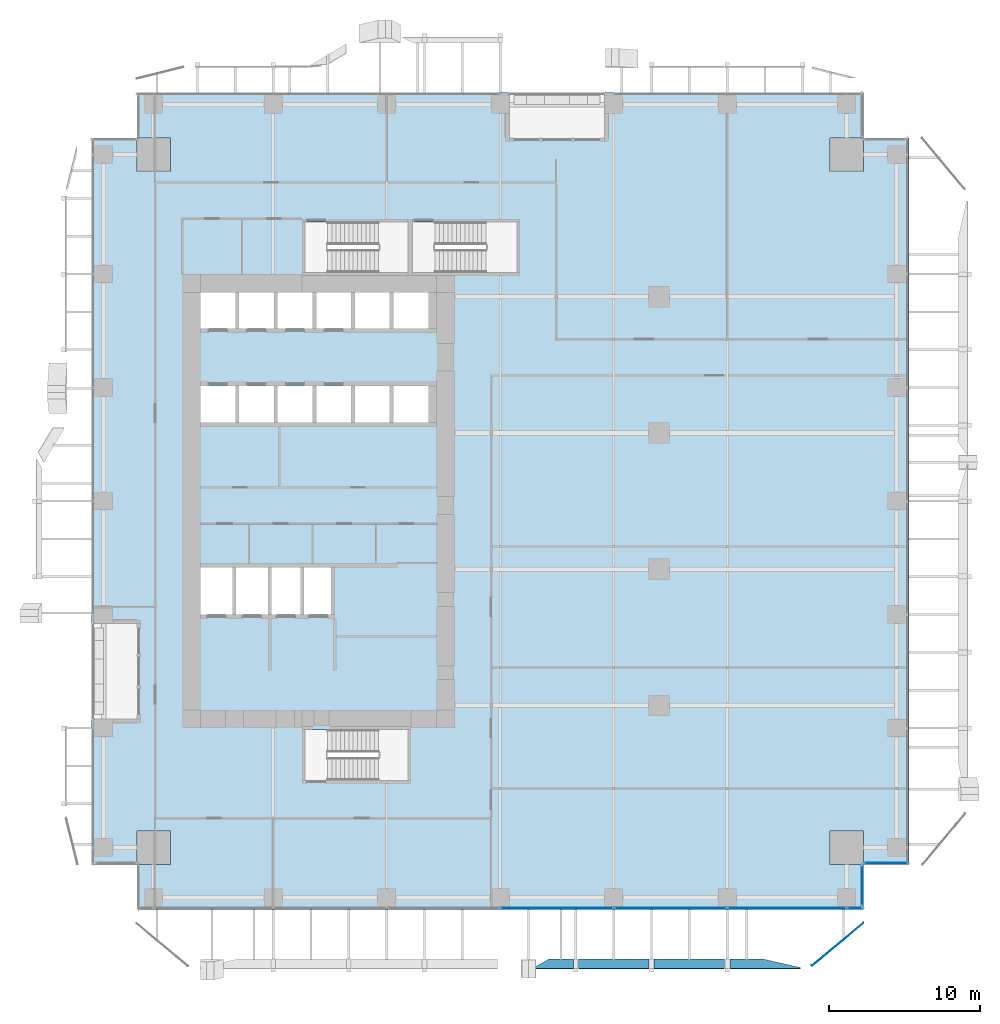
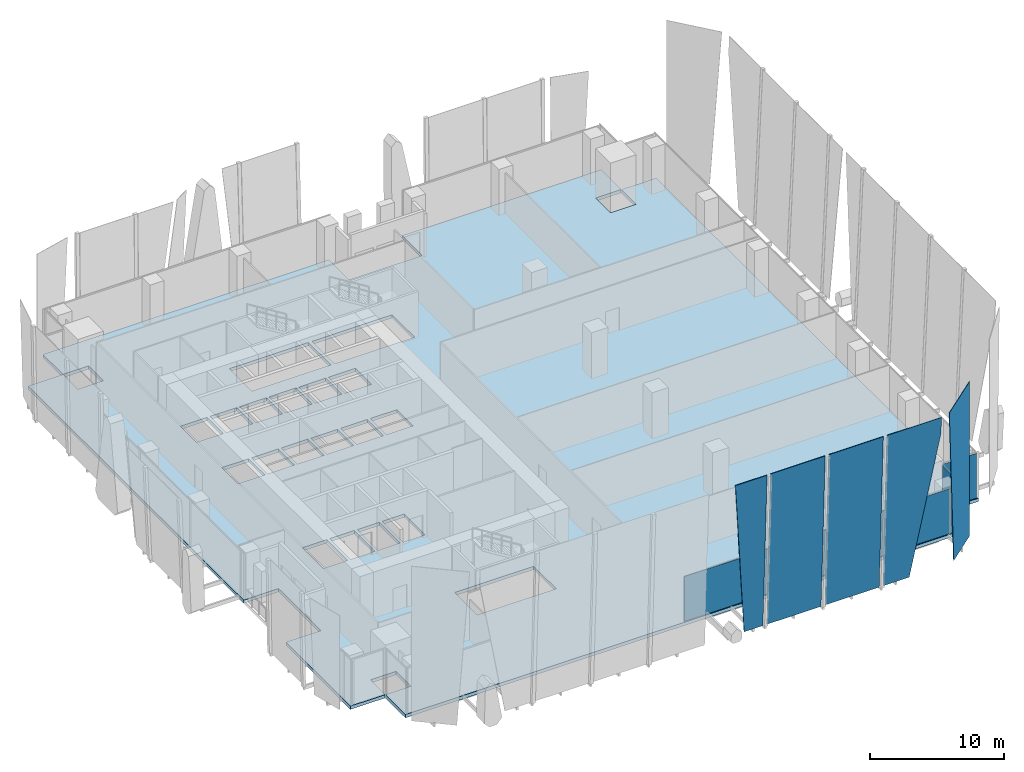
# One storey, part 23 of 35: 11 plates, 1 slab, 3 elements without a shape of their own.
"""IFC4 building model written with IfcOpenShell, lengths in metres."""

from ifc_helpers import new_model, si_unit, direction, frame, origin, origin_2d, place, context, subcontext, project, spatial, polyline, rectangle, outline, extrude, source, transform, mapped, material, layer, layer_set, type_object, element, aggregate, save


model = new_model("IFC4")

# Units and contexts
model_context = context("Model", 3, precision=1e-05, world=origin(), true_north=direction((0.0, 1.0)))
body_context = subcontext(model_context, "Body", "Model", "MODEL_VIEW")
ifc_project = project(units=[si_unit("LENGTHUNIT", "METRE"), si_unit("AREAUNIT", "SQUARE_METRE"), si_unit("VOLUMEUNIT", "CUBIC_METRE"), si_unit("PLANEANGLEUNIT", "RADIAN"), si_unit("MASSUNIT", "GRAM", prefix="KILO")], contexts=[model_context])

# Site, building, storey
site_placement = place(None, origin())
site = spatial("IfcSite", under=ifc_project, at=site_placement, CompositionType="ELEMENT")
building_placement = place(site_placement, origin())
building = spatial("IfcBuilding", under=site, at=building_placement, Name="Khomas Fold Tower", CompositionType="ELEMENT")
storey_placement = place(building_placement, frame((0.0, 0.0, 87.0)))
storey = spatial("IfcBuildingStorey", under=building, at=storey_placement, Name="L18", CompositionType="ELEMENT", Elevation=87.0)

# Plates
ifc_material_1 = material(Name="Clear laminated glass", Category="glass")
ifc_layer_1 = layer(ifc_material_1, 0.0400390625)
ifc_layer_set_1 = layer_set([ifc_layer_1], Name="Clear laminated glass")
plate_type_1 = type_object("IfcPlateType", Name="SK-Clear laminated glass leaf", PredefinedType="SHEET", material=ifc_layer_set_1)
plate_1_placement = place(storey_placement, frame((30.214111328125, -3.264892578125, 0.0), z_axis=(0.0, 0.999041889432, 0.043764176671), x_axis=(-0.078019649589, -0.043630775646, 0.995996631367)))
element("IfcPlate", 1, at=plate_1_placement, inside=storey, type_object=plate_type_1, Name="OUTER SKIN glass L18 SG103-9", PredefinedType="SHEET", context=body_context, shape_type="SweptSolid", body=[
    extrude(outline(polyline([(0.0, 0.0), (14.106522437571755, 0.0), (13.89457794514553, 2.7082721965804097), (-0.12607716323979348, 1.6110410415355203), (0.0, 0.0)])), origin(), (0.0, 0.0, -1.0), 0.0400390625),
])
for number, where, z_axis, x_axis, name in (
    (2, (32.169921875, -3.264892578125, 0.0), (0.0, 0.999041889432, 0.043764176671), (0.0, -0.043764176671, 0.999041889432), "OUTER SKIN glass L18 SG104-11"),
    (3, (37.169921875, -3.264892578125, 0.0), (0.0, 0.999041889432, 0.043764176671), (0.0, -0.043764176671, 0.999041889432), "OUTER SKIN glass L18 SG105-13"),
):
    element("IfcPlate", number, at=place(storey_placement, frame(where, z_axis=z_axis, x_axis=x_axis)), inside=storey, type_object=plate_type_1, Name=name, PredefinedType="SHEET", context=body_context, shape_type="SweptSolid", body=[
        extrude(outline(polyline([(0.0, 0.0), (14.06352323836003, 0.0), (14.06352323836003, 4.66015625), (0.0, 4.66015625), (0.0, 0.0)])), origin(), (0.0, 0.0, -1.0), 0.0400390625),
    ])
plate_2_placement = place(storey_placement, frame((44.411376953125, -3.264892578125, 0.0), z_axis=(-1.7770157e-05, 0.999041755518, 0.043767229919), x_axis=(-0.999999999842, -1.7753129e-05, -7.77751e-07)))
element("IfcPlate", 4, at=plate_2_placement, inside=storey, type_object=plate_type_1, Name="OUTER SKIN glass L18 SG106-15", PredefinedType="SHEET", context=body_context, shape_type="SweptSolid", body=[
    extrude(outline(polyline([(0.0, 0.0), (2.2414550777710986, -2.373232876202921e-22), (2.2414550770073247, 14.063523238294355), (-2.4187011722568874, 14.063523238294355), (-2.4187011744362676, 12.604844709517032), (0.0, 0.0)])), origin(), (0.0, 0.0, -1.0), 0.0400390625),
])
plate_3_placement = place(storey_placement, frame((48.3623046875, -3.09814453125, 0.0), z_axis=(0.640208940012, -0.768200828643, 1.092516e-06), x_axis=(-0.052423335487, -0.043687531728, 0.997668879673)))
element("IfcPlate", 5, at=plate_3_placement, inside=storey, type_object=plate_type_1, Name="OUTER SKIN glass L18 SG107-16", PredefinedType="SHEET", context=body_context, shape_type="SweptSolid", body=[
    extrude(outline(polyline([(0.0, 0.0), (14.08287771063657, 1.1102230246251565e-16), (13.782983912111671, -4.38439640402836), (-0.23431256159386898, -3.425609858073881), (0.0, 0.0)])), origin(), (0.0, 0.0, -1.0), 0.0400390625),
])

# Slab
ifc_material_2 = material(Name="Concrete C40/50", Category="concrete")
ifc_layer_2 = layer(ifc_material_2, 0.300048828125)
ifc_layer_set_2 = layer_set([ifc_layer_2], Name="Concrete C40/50")
slab_type = type_object("IfcSlabType", Name="RC floor slab 300", PredefinedType="FLOOR", material=ifc_layer_set_2)
shared_shape_1 = source(origin(), body_context, "Body", "SweptSolid", [
    extrude(outline(polyline([(0.0, 3.0), (2.9951171875, 3.0), (2.9951171875, 5.205078125), (5.205078125, 5.205078125), (5.205078125, 2.9951171875), (3.0, 2.9951171875), (3.0, 0.0), (51.0, 0.0), (51.0, 2.9951171875), (48.794921875, 2.9951171875), (48.794921875, 5.205078125), (51.0048828125, 5.205078125), (51.0048828125, 3.0), (54.0, 3.0), (54.0, 51.0), (51.0048828125, 51.0), (51.0048828125, 48.794921875), (48.794921875, 48.794921875), (48.794921875, 51.0048828125), (51.0, 51.0048828125), (51.0, 54.0), (33.89990234375, 54.0), (33.89990234375, 51.0), (27.60009765625, 51.0), (27.60009765625, 54.0), (3.0, 54.0), (3.0, 51.0048828125), (5.205078125, 51.0048828125), (5.205078125, 48.794921875), (2.9951171875, 48.794921875), (2.9951171875, 51.0), (0.0, 51.0), (0.0, 18.89990234375), (3.0, 18.89990234375), (3.0, 12.60009765625), (0.0, 12.60009765625), (0.0, 3.0)]), holes=[polyline([(7.199951171875, 19.5), (7.199951171875, 22.60009765625), (9.300048828125, 22.60009765625), (9.300048828125, 19.5), (7.199951171875, 19.5)]), polyline([(7.199951171875, 32.199951171875), (7.199951171875, 34.60009765625), (9.5, 34.60009765625), (9.5, 32.199951171875), (7.199951171875, 32.199951171875)]), polyline([(7.199951171875, 38.39990234375), (7.199951171875, 40.800048828125), (9.5, 40.800048828125), (9.5, 38.39990234375), (7.199951171875, 38.39990234375)]), polyline([(9.550048828125, 19.5), (9.550048828125, 22.60009765625), (11.64990234375, 22.60009765625), (11.64990234375, 19.5), (9.550048828125, 19.5)]), polyline([(9.75, 32.199951171875), (9.75, 34.60009765625), (12.050048828125, 34.60009765625), (12.050048828125, 32.199951171875), (9.75, 32.199951171875)]), polyline([(9.75, 38.39990234375), (9.75, 40.800048828125), (12.050048828125, 40.800048828125), (12.050048828125, 38.39990234375), (9.75, 38.39990234375)]), polyline([(11.89990234375, 19.5), (11.89990234375, 22.60009765625), (13.800048828125, 22.60009765625), (13.800048828125, 19.5), (11.89990234375, 19.5)]), polyline([(12.300048828125, 32.199951171875), (12.300048828125, 34.60009765625), (14.60009765625, 34.60009765625), (14.60009765625, 32.199951171875), (12.300048828125, 32.199951171875)]), polyline([(12.300048828125, 38.39990234375), (12.300048828125, 40.800048828125), (14.60009765625, 40.800048828125), (14.60009765625, 38.39990234375), (12.300048828125, 38.39990234375)]), polyline([(14.050048828125, 19.5), (14.050048828125, 22.60009765625), (15.949951171875, 22.60009765625), (15.949951171875, 19.5), (14.050048828125, 19.5)]), polyline([(14.10009765625, 8.550048828125), (14.10009765625, 11.89990234375), (20.89990234375, 11.89990234375), (20.89990234375, 8.550048828125), (14.10009765625, 8.550048828125)]), polyline([(14.10009765625, 42.10009765625), (14.10009765625, 45.449951171875), (20.89990234375, 45.449951171875), (20.89990234375, 42.10009765625), (14.10009765625, 42.10009765625)]), polyline([(14.85009765625, 32.199951171875), (14.85009765625, 34.60009765625), (17.14990234375, 34.60009765625), (17.14990234375, 32.199951171875), (14.85009765625, 32.199951171875)]), polyline([(14.85009765625, 38.39990234375), (14.85009765625, 40.800048828125), (17.14990234375, 40.800048828125), (17.14990234375, 38.39990234375), (14.85009765625, 38.39990234375)]), polyline([(17.39990234375, 32.199951171875), (17.39990234375, 34.60009765625), (19.699951171875, 34.60009765625), (19.699951171875, 32.199951171875), (17.39990234375, 32.199951171875)]), polyline([(17.39990234375, 38.39990234375), (17.39990234375, 40.800048828125), (19.699951171875, 40.800048828125), (19.699951171875, 38.39990234375), (17.39990234375, 38.39990234375)]), polyline([(19.949951171875, 32.199951171875), (19.949951171875, 34.60009765625), (22.25, 34.60009765625), (22.25, 32.199951171875), (19.949951171875, 32.199951171875)]), polyline([(19.949951171875, 38.39990234375), (19.949951171875, 40.800048828125), (22.25, 40.800048828125), (22.25, 38.39990234375), (19.949951171875, 38.39990234375)]), polyline([(21.199951171875, 42.10009765625), (21.199951171875, 45.449951171875), (28.10009765625, 45.449951171875), (28.10009765625, 42.10009765625), (21.199951171875, 42.10009765625)])]), origin(), (0.0, 0.0, 1.0), 0.300048828125),
])
slab_placement = place(storey_placement, frame((0.0, 0.0, -0.300048828125)))
element("IfcSlab", 6, at=slab_placement, inside=storey, type_object=slab_type, Name="S-L18", PredefinedType="FLOOR", context=body_context, shape_type="MappedRepresentation", body=[
    mapped(shared_shape_1, transform((0.0, 0.0, 0.0))),
])

# Curtain wall, plates
ifc_material_3 = material(Name="Aluminium framed double glazing", Category="aluminium")
curtain_wall_type = type_object("IfcCurtainWallType", Name="SK-Unitised clear-glass wall, growing floors CW1", PredefinedType="NOTDEFINED", material=ifc_material_3)
curtain_wall_1_placement = place(storey_placement, origin())
curtain_wall_1 = element("IfcCurtainWall", 7, at=curtain_wall_1_placement, inside=storey, type_object=curtain_wall_type, Name="CW1 run L18 00-0", PredefinedType="NOTDEFINED")
ifc_material_4 = material(Name="Clear double glazed unit")
ifc_layer_3 = layer(ifc_material_4, 0.031982421875)
ifc_layer_set_3 = layer_set([ifc_layer_3], Name="Clear double glazed unit")
plate_type_2 = type_object("IfcPlateType", Name="SK-Unitised clear-glass wall, growing floors glass panel CW1-P", PredefinedType="CURTAIN_PANEL", material=ifc_layer_set_3)
shared_shape_2 = source(origin(), body_context, "Body", "SweptSolid", [
    extrude(rectangle(XDim=7.840087890625, YDim=0.031982421875, at=origin_2d()), origin(), (0.0, 0.0, 1.0), 4.080078125),
])
plate_4_placement = place(storey_placement, frame((45.949951171875, 0.10009765625, 0.0), z_axis=(0.0, 0.0, 1.0), x_axis=(1.0, 0.0, 0.0)))
plate_4 = element("IfcPlate", 8, at=plate_4_placement, type_object=plate_type_2, Name="CW1 glass panel 7", PredefinedType="CURTAIN_PANEL", context=body_context, shape_type="MappedRepresentation", body=[
    mapped(shared_shape_2, transform((0.0, 0.0, 0.0))),
])
shared_shape_3 = source(origin(), body_context, "Body", "SweptSolid", [
    extrude(rectangle(XDim=7.43994140625, YDim=0.031982421875, at=origin_2d()), origin(), (0.0, 0.0, 1.0), 4.080078125),
])
plate_5_placement = place(storey_placement, frame((30.75, 0.10009765625, 0.0), z_axis=(0.0, 0.0, 1.0), x_axis=(1.0, 0.0, 0.0)))
plate_5 = element("IfcPlate", 9, at=plate_5_placement, type_object=plate_type_2, Name="CW1 glass panel 5", PredefinedType="CURTAIN_PANEL", context=body_context, shape_type="MappedRepresentation", body=[
    mapped(shared_shape_3, transform((0.0, 0.0, 0.0))),
])
plate_6_placement = place(storey_placement, frame((38.25, 0.10009765625, 0.0), z_axis=(0.0, 0.0, 1.0), x_axis=(1.0, 0.0, 0.0)))
plate_6 = element("IfcPlate", 10, at=plate_6_placement, type_object=plate_type_2, Name="CW1 glass panel 6", PredefinedType="CURTAIN_PANEL", context=body_context, shape_type="MappedRepresentation", body=[
    mapped(shared_shape_3, transform((0.0, 0.0, 0.0))),
])
shared_shape_4 = source(origin(), body_context, "Body", "SweptSolid", [
    extrude(rectangle(XDim=1.010009765625, YDim=0.031982421875, at=origin_2d()), origin(), (0.0, 0.0, 1.0), 4.080078125),
])
plate_7_placement = place(storey_placement, frame((50.43505859375, 0.10009765625, 0.0), z_axis=(0.0, 0.0, 1.0), x_axis=(1.0, 0.0, 0.0)))
plate_7 = element("IfcPlate", 11, at=plate_7_placement, type_object=plate_type_2, Name="CW1 glass panel 8", PredefinedType="CURTAIN_PANEL", context=body_context, shape_type="MappedRepresentation", body=[
    mapped(shared_shape_4, transform((0.0, 0.0, 0.0))),
])
aggregate(curtain_wall_1, [plate_5, plate_6, plate_4, plate_7])

# Curtain wall, plate
curtain_wall_2_placement = place(storey_placement, origin())
curtain_wall_2 = element("IfcCurtainWall", 12, at=curtain_wall_2_placement, inside=storey, type_object=curtain_wall_type, Name="CW1 corner return L18 01", PredefinedType="NOTDEFINED")
shared_shape_5 = source(origin(), body_context, "Body", "SweptSolid", [
    extrude(rectangle(XDim=2.679931640625, YDim=0.031982421875, at=origin_2d()), origin(), (0.0, 0.0, 1.0), 4.080078125),
])
plate_8_placement = place(storey_placement, frame((50.89990234375, 1.60009765625, 0.0), z_axis=(0.0, 0.0, 1.0), x_axis=(0.0, 1.0, 0.0)))
plate_8 = element("IfcPlate", 13, at=plate_8_placement, type_object=plate_type_2, Name="CW1 glass panel 1", PredefinedType="CURTAIN_PANEL", context=body_context, shape_type="MappedRepresentation", body=[
    mapped(shared_shape_5, transform((0.0, 0.0, 0.0))),
])
aggregate(curtain_wall_2, [plate_8])

curtain_wall_3_placement = place(storey_placement, origin())
curtain_wall_3 = element("IfcCurtainWall", 14, at=curtain_wall_3_placement, inside=storey, type_object=curtain_wall_type, Name="CW1 corner return L18 02", PredefinedType="NOTDEFINED")
shared_shape_6 = source(origin(), body_context, "Body", "SweptSolid", [
    extrude(rectangle(XDim=2.8798828125, YDim=0.031982421875, at=origin_2d()), origin(), (0.0, 0.0, 1.0), 4.080078125),
])
plate_9_placement = place(storey_placement, frame((52.5, 3.10009765625, 0.0), z_axis=(0.0, 0.0, 1.0), x_axis=(1.0, 0.0, 0.0)))
plate_9 = element("IfcPlate", 15, at=plate_9_placement, type_object=plate_type_2, Name="CW1 glass panel 1", PredefinedType="CURTAIN_PANEL", context=body_context, shape_type="MappedRepresentation", body=[
    mapped(shared_shape_6, transform((0.0, 0.0, 0.0))),
])
aggregate(curtain_wall_3, [plate_9])

save(model, "model.ifc")
